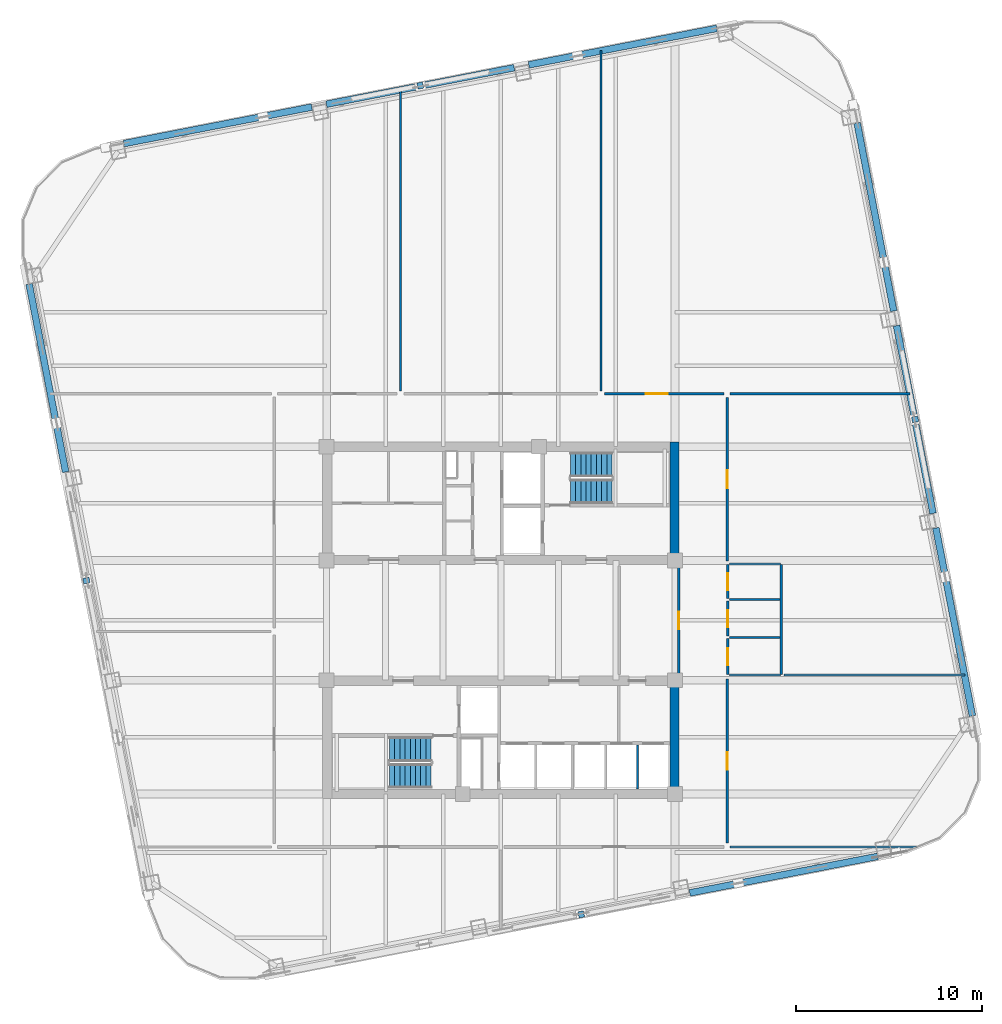
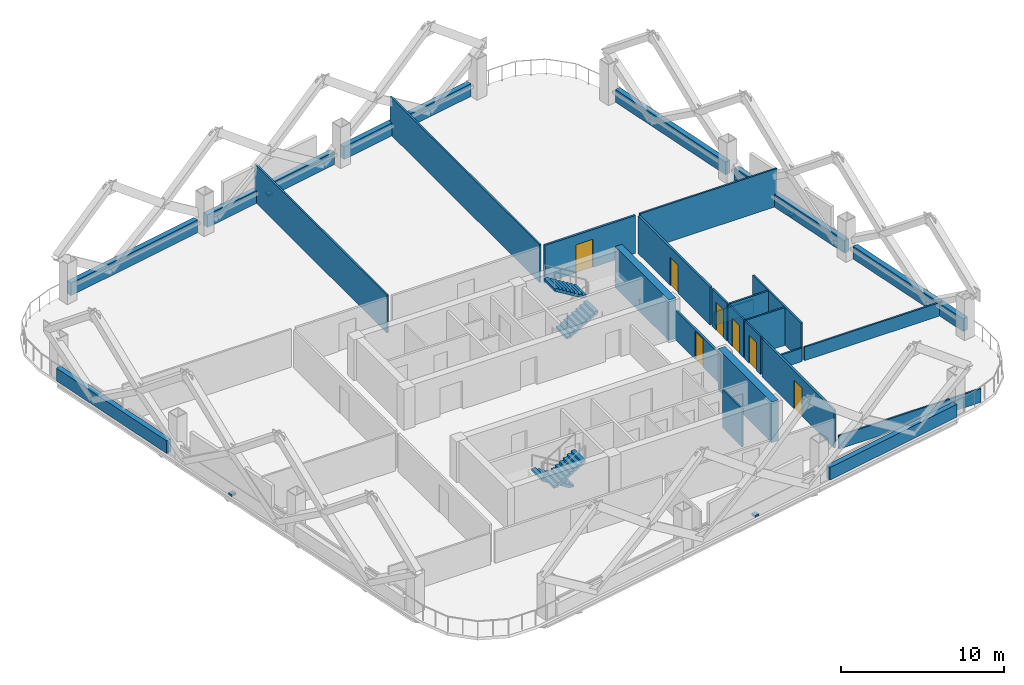
# One storey, part 6 of 9: 28 walls, 7 doors, 4 discrete accessories, 4 stair flights, 7 openings, 2 elements without a shape of their own.
"""IFC4 building model written with IfcOpenShell, lengths in metres."""

from ifc_helpers import new_model, si_unit, direction, frame, frame_2d, origin, origin_2d, place, context, subcontext, project, spatial, polyline, rectangle, outline, extrude, material, layer, layer_set, type_object, element, fill, aggregate, save


model = new_model("IFC4")

# Units and contexts
model_context = context("Model", 3, precision=1e-05, world=origin(), true_north=direction((0.0, 1.0)))
body_context = subcontext(model_context, "Body", "Model", "MODEL_VIEW")
ifc_project = project(units=[si_unit("LENGTHUNIT", "METRE"), si_unit("AREAUNIT", "SQUARE_METRE"), si_unit("VOLUMEUNIT", "CUBIC_METRE"), si_unit("PLANEANGLEUNIT", "RADIAN"), si_unit("MASSUNIT", "GRAM", prefix="KILO")], contexts=[model_context])

# Site, building, storey
site_placement = place(None, origin())
site = spatial("IfcSite", under=ifc_project, at=site_placement, CompositionType="ELEMENT")
building_placement = place(site_placement, origin())
building = spatial("IfcBuilding", under=site, at=building_placement, Name="Qhalaya Broadcast Tower", CompositionType="ELEMENT")
storey_placement = place(building_placement, frame((0.0, 0.0, 137.199951171875)))
storey = spatial("IfcBuildingStorey", under=building, at=storey_placement, Name="L40", CompositionType="ELEMENT", Elevation=137.199951171875)

# Wall, opening, door
ifc_material_1 = material(Name="Gypsum Acoustic Partition")
ifc_layer_1 = layer(ifc_material_1, 0.14990234375, Name="Gypsum Acoustic Partition")
ifc_layer_set_1 = layer_set([ifc_layer_1], Name="Gypsum Acoustic Partition")
wall_type_1 = type_object("IfcWallType", Name="Corridor & Tenancy Acoustic Partition 150", PredefinedType="PARTITIONING", material=ifc_layer_set_1)
wall_1_placement = place(storey_placement, frame((9.580078125, -2.320068359375, 0.0), z_axis=(0.0, 0.0, 1.0), x_axis=(0.0, 1.0, 0.0)))
wall_1 = element("IfcWall", 1, at=wall_1_placement, inside=storey, type_object=wall_type_1, Name="L40 Partition Wall W-ICHE", PredefinedType="PARTITIONING", context=body_context, shape_type="SweptSolid", body=[
    extrude(rectangle(XDim=5.840087890625, YDim=0.14990234375, at=frame_2d((2.919921875, 0.0))), origin(), (0.0, 0.0, 1.0), 2.197998046875),
])
opening_1_placement = place(wall_1_placement, frame((2.445068359375, 0.0, 0.0)))
opening_1 = element("IfcOpeningElement", 2, at=opening_1_placement, cuts=wall_1, Name="Opening D10", PredefinedType="OPENING", context=body_context, shape_type="SweptSolid", body=[
    extrude(rectangle(XDim=0.949951171875, YDim=2.10009765625, at=frame_2d((0.47509765625, 1.050048828125))), frame((0.0, 0.0869140625, 0.0), z_axis=(0.0, -1.0, 0.0), x_axis=(1.0, 0.0, 0.0)), (0.0, 0.0, 1.0), 0.173828125),
])
ifc_material_2 = material(Name="Timber Veneer Acoustic Door", Category="wood")
door_type_1 = type_object("IfcDoorType", Name="Cellular Office & Edit Booth Door D10", OperationType="NOTDEFINED", PredefinedType="DOOR", material=ifc_material_2)
door_1_placement = place(opening_1_placement, origin())
door_1 = element("IfcDoor", 3, at=door_1_placement, inside=storey, type_object=door_type_1, Name="L40 Door D-ICHE", OperationType="SINGLE_SWING_RIGHT", OverallHeight=2.10009765625, OverallWidth=0.949951171875, PredefinedType="DOOR", context=body_context, shape_type="SweptSolid", body=[
    extrude(rectangle(XDim=0.949951171875, YDim=2.10009765625, at=frame_2d((0.47509765625, 1.050048828125))), frame((0.0, 0.02490234375, 0.0), z_axis=(0.0, -1.0, 0.0), x_axis=(1.0, 0.0, 0.0)), (0.0, 0.0, 1.0), 0.050048828125),
])
fill(opening_1, door_1)

wall_2_placement = place(storey_placement, frame((5.580078125, 12.800048828125, 0.0), z_axis=(0.0, 0.0, 1.0), x_axis=(1.0, 0.0, 0.0)))
wall_2 = element("IfcWall", 4, at=wall_2_placement, inside=storey, type_object=wall_type_1, Name="L40 Partition Wall W-COR-03", PredefinedType="PARTITIONING", context=body_context, shape_type="SweptSolid", body=[
    extrude(rectangle(XDim=6.43994140625, YDim=0.14990234375, at=frame_2d((3.219970703125, 0.0))), origin(), (0.0, 0.0, 1.0), 2.830078125),
])
opening_2_placement = place(wall_2_placement, frame((2.219970703125, 0.0, 0.0)))
opening_2 = element("IfcOpeningElement", 5, at=opening_2_placement, cuts=wall_2, Name="Opening D11", PredefinedType="OPENING", context=body_context, shape_type="SweptSolid", body=[
    extrude(rectangle(XDim=1.199951171875, YDim=2.10009765625, at=frame_2d((0.60009765625, 1.050048828125))), frame((0.0, 0.0869140625, 0.0), z_axis=(0.0, -1.0, 0.0), x_axis=(1.0, 0.0, 0.0)), (0.0, 0.0, 1.0), 0.173828125),
])
ifc_material_3 = material(Name="Anodised Aluminium Glazed Door", Category="aluminium")
door_type_2 = type_object("IfcDoorType", Name="Conference, Boardroom & Studio Control Door D11", OperationType="NOTDEFINED", PredefinedType="DOOR", material=ifc_material_3)
door_2_placement = place(opening_2_placement, origin())
door_2 = element("IfcDoor", 6, at=door_2_placement, inside=storey, type_object=door_type_2, Name="L40 Door D-RM03", OperationType="SINGLE_SWING_RIGHT", OverallHeight=2.10009765625, OverallWidth=1.199951171875, PredefinedType="DOOR", context=body_context, shape_type="SweptSolid", body=[
    extrude(rectangle(XDim=1.199951171875, YDim=2.10009765625, at=frame_2d((0.60009765625, 1.050048828125))), frame((0.0, 0.02490234375, 0.0), z_axis=(0.0, -1.0, 0.0), x_axis=(1.0, 0.0, 0.0)), (0.0, 0.0, 1.0), 0.050048828125),
])
fill(opening_2, door_2)

wall_3_placement = place(storey_placement, frame((12.199951171875, -11.39990234375, 0.0), z_axis=(0.0, 0.0, 1.0), x_axis=(0.0, 1.0, 0.0)))
wall_3 = element("IfcWall", 7, at=wall_3_placement, inside=storey, type_object=wall_type_1, Name="L40 Partition Wall W-COR-08", PredefinedType="PARTITIONING", context=body_context, shape_type="SweptSolid", body=[
    extrude(rectangle(XDim=8.83984375, YDim=0.14990234375, at=frame_2d((4.419921875, 0.0))), origin(), (0.0, 0.0, 1.0), 2.830078125),
])
opening_3_placement = place(wall_3_placement, frame((3.945068359375, 0.0, 0.0)))
opening_3 = element("IfcOpeningElement", 8, at=opening_3_placement, cuts=wall_3, Name="Opening D10", PredefinedType="OPENING", context=body_context, shape_type="SweptSolid", body=[
    extrude(rectangle(XDim=0.949951171875, YDim=2.10009765625, at=frame_2d((0.47509765625, 1.050048828125))), frame((0.0, 0.0869140625, 0.0), z_axis=(0.0, -1.0, 0.0), x_axis=(1.0, 0.0, 0.0)), (0.0, 0.0, 1.0), 0.173828125),
])
door_3_placement = place(opening_3_placement, origin())
door_3 = element("IfcDoor", 9, at=door_3_placement, inside=storey, type_object=door_type_1, Name="L40 Door D-RM08", OperationType="SINGLE_SWING_LEFT", OverallHeight=2.10009765625, OverallWidth=0.949951171875, PredefinedType="DOOR", context=body_context, shape_type="SweptSolid", body=[
    extrude(rectangle(XDim=0.949951171875, YDim=2.10009765625, at=frame_2d((0.47509765625, 1.050048828125))), frame((0.0, 0.02490234375, 0.0), z_axis=(0.0, -1.0, 0.0), x_axis=(1.0, 0.0, 0.0)), (0.0, 0.0, 1.0), 0.050048828125),
])
fill(opening_3, door_3)

wall_4_placement = place(storey_placement, frame((12.199951171875, 3.800048828125, 0.0), z_axis=(0.0, 0.0, 1.0), x_axis=(0.0, 1.0, 0.0)))
wall_4 = element("IfcWall", 10, at=wall_4_placement, inside=storey, type_object=wall_type_1, Name="L40 Partition Wall W-COR-09", PredefinedType="PARTITIONING", context=body_context, shape_type="SweptSolid", body=[
    extrude(rectangle(XDim=8.800048828125, YDim=0.14990234375, at=frame_2d((4.39990234375, 0.0))), origin(), (0.0, 0.0, 1.0), 2.830078125),
])
opening_4_placement = place(wall_4_placement, frame((3.925048828125, 0.0, 0.0)))
opening_4 = element("IfcOpeningElement", 11, at=opening_4_placement, cuts=wall_4, Name="Opening D10", PredefinedType="OPENING", context=body_context, shape_type="SweptSolid", body=[
    extrude(rectangle(XDim=0.949951171875, YDim=2.10009765625, at=frame_2d((0.47509765625, 1.050048828125))), frame((0.0, 0.0869140625, 0.0), z_axis=(0.0, -1.0, 0.0), x_axis=(1.0, 0.0, 0.0)), (0.0, 0.0, 1.0), 0.173828125),
])
door_4_placement = place(opening_4_placement, origin())
door_4 = element("IfcDoor", 12, at=door_4_placement, inside=storey, type_object=door_type_1, Name="L40 Door D-RM09", OperationType="SINGLE_SWING_RIGHT", OverallHeight=2.10009765625, OverallWidth=0.949951171875, PredefinedType="DOOR", context=body_context, shape_type="SweptSolid", body=[
    extrude(rectangle(XDim=0.949951171875, YDim=2.10009765625, at=frame_2d((0.47509765625, 1.050048828125))), frame((0.0, 0.02490234375, 0.0), z_axis=(0.0, -1.0, 0.0), x_axis=(1.0, 0.0, 0.0)), (0.0, 0.0, 1.0), 0.050048828125),
])
fill(opening_4, door_4)

# Walls
ifc_material_4 = material(Name="Precast Concrete C40/50", Category="concrete")
ifc_layer_2 = layer(ifc_material_4, 0.360107421875, Name="Precast Concrete C40/50")
ifc_layer_set_2 = layer_set([ifc_layer_2], Name="Precast Concrete C40/50")
wall_type_2 = type_object("IfcWallType", Name="Insulated Precast Terracotta Exterior Wall 360", PredefinedType="SOLIDWALL", material=ifc_layer_set_2)
for number, where, z_axis, x_axis, name in (
    (13, (20.29638671875, -12.10986328125, 0.0), (0.0, 0.0, 1.0), (-0.981628941133, -0.190799952646, 0.0), "L40 Exoskeleton Diagrid Infill Wall S1"),
    (14, (19.189697265625, 27.37646484375, 0.0), (0.0, 0.0, 1.0), (0.190822765986, -0.981624506612, 0.0), "L40 Exoskeleton Diagrid Infill Wall E1"),
):
    element("IfcWall", number, at=place(storey_placement, frame(where, z_axis=z_axis, x_axis=x_axis)), inside=storey, type_object=wall_type_2, Name=name, PredefinedType="SOLIDWALL", context=body_context, shape_type="SweptSolid", body=[
        extrude(rectangle(XDim=10.31201171875, YDim=0.360107421875, at=frame_2d((5.156005859375, 0.0))), origin(), (0.0, 0.0, 1.0), 0.949951171875),
    ])
wall_5_placement = place(storey_placement, frame((21.31005859375, 16.468505859375, 0.0), z_axis=(0.0, 0.0, 1.0), x_axis=(0.190811924826, -0.981626614016, 0.0)))
element("IfcWall", 15, at=wall_5_placement, inside=storey, type_object=wall_type_2, Name="L40 Exoskeleton Diagrid Infill Wall E2", PredefinedType="SOLIDWALL", context=body_context, shape_type="SweptSolid", body=[
    extrude(rectangle(XDim=10.2998046875, YDim=0.360107421875, at=frame_2d((5.14990234375, 0.0))), origin(), (0.0, 0.0, 1.0), 0.949951171875),
])
wall_6_placement = place(storey_placement, frame((23.427978515625, 5.572509765625, 0.0), z_axis=(0.0, 0.0, 1.0), x_axis=(0.190827200853, -0.981623644486, 0.0)))
element("IfcWall", 16, at=wall_6_placement, inside=storey, type_object=wall_type_2, Name="L40 Exoskeleton Diagrid Infill Wall E3", PredefinedType="SOLIDWALL", context=body_context, shape_type="SweptSolid", body=[
    extrude(rectangle(XDim=10.311767578125, YDim=0.360107421875, at=frame_2d((5.15576171875, 0.0))), origin(), (0.0, 0.0, 1.0), 0.949951171875),
])
wall_7_placement = place(storey_placement, frame((-20.29638671875, 26.269775390625, 0.0), z_axis=(0.0, 0.0, 1.0), x_axis=(0.981628941133, 0.190799952646, 0.0)))
element("IfcWall", 17, at=wall_7_placement, inside=storey, type_object=wall_type_2, Name="L40 Exoskeleton Diagrid Infill Wall N1", PredefinedType="SOLIDWALL", context=body_context, shape_type="SweptSolid", body=[
    extrude(rectangle(XDim=10.31201171875, YDim=0.360107421875, at=frame_2d((5.156005859375, 0.0))), origin(), (0.0, 0.0, 1.0), 0.949951171875),
])
wall_8_placement = place(storey_placement, frame((-9.388671875, 28.39013671875, 0.0), z_axis=(0.0, 0.0, 1.0), x_axis=(0.981627477005, 0.190807485147, 0.0)))
element("IfcWall", 18, at=wall_8_placement, inside=storey, type_object=wall_type_2, Name="L40 Exoskeleton Diagrid Infill Wall N2", PredefinedType="SOLIDWALL", context=body_context, shape_type="SweptSolid", body=[
    extrude(rectangle(XDim=10.300048828125, YDim=0.360107421875, at=frame_2d((5.14990234375, 0.0))), origin(), (0.0, 0.0, 1.0), 0.949951171875),
])
for number, where, z_axis, x_axis, name in (
    (19, (1.50732421875, 30.508056640625, 0.0), (0.0, 0.0, 1.0), (0.981628941133, 0.190799952646, 0.0), "L40 Exoskeleton Diagrid Infill Wall N3"),
    (20, (-23.427978515625, 8.58740234375, 0.0), (0.0, 0.0, 1.0), (-0.190822765986, 0.981624506612, 0.0), "L40 Exoskeleton Diagrid Infill Wall W3"),
):
    element("IfcWall", number, at=place(storey_placement, frame(where, z_axis=z_axis, x_axis=x_axis)), inside=storey, type_object=wall_type_2, Name=name, PredefinedType="SOLIDWALL", context=body_context, shape_type="SweptSolid", body=[
        extrude(rectangle(XDim=10.31201171875, YDim=0.360107421875, at=frame_2d((5.156005859375, 0.0))), origin(), (0.0, 0.0, 1.0), 0.949951171875),
    ])
ifc_material_5 = material(Name="Concrete C50/60", Category="concrete")
ifc_layer_3 = layer(ifc_material_5, 0.5, Name="Concrete C50/60")
ifc_layer_set_3 = layer_set([ifc_layer_3], Name="Concrete C50/60")
wall_type_3 = type_object("IfcWallType", Name="Mid Split-Core Shear Wall 500", PredefinedType="SHEAR", material=ifc_layer_set_3)
wall_9_placement = place(storey_placement, frame((9.35009765625, 3.60009765625, 0.0), z_axis=(0.0, 0.0, 1.0), x_axis=(0.0, 1.0, 0.0)))
element("IfcWall", 21, at=wall_9_placement, inside=storey, type_object=wall_type_3, Name="L40 Split-Core Shear Wall CW-NE", PredefinedType="SHEAR", context=body_context, shape_type="SweptSolid", body=[
    extrude(rectangle(XDim=6.599853515625, YDim=0.5, at=frame_2d((3.2998046875, 0.0))), origin(), (0.0, 0.0, 1.0), 3.050048828125),
])
wall_10_placement = place(storey_placement, frame((9.35009765625, -9.0, 0.0), z_axis=(0.0, 0.0, 1.0), x_axis=(0.0, 1.0, 0.0)))
element("IfcWall", 22, at=wall_10_placement, inside=storey, type_object=wall_type_3, Name="L40 Split-Core Shear Wall CW-SE", PredefinedType="SHEAR", context=body_context, shape_type="SweptSolid", body=[
    extrude(rectangle(XDim=6.60009765625, YDim=0.5, at=frame_2d((3.300048828125, 0.0))), origin(), (0.0, 0.0, 1.0), 3.050048828125),
])
ifc_layer_4 = layer(ifc_material_1, 0.1201171875, Name="Gypsum Acoustic Partition")
ifc_layer_set_4 = layer_set([ifc_layer_4], Name="Gypsum Acoustic Partition")
wall_type_4 = type_object("IfcWallType", Name="Office, Booth & Sanitary Partition 120", PredefinedType="PARTITIONING", material=ifc_layer_set_4)
wall_11_placement = place(storey_placement, frame((7.360107421875, -8.47998046875, 0.0), z_axis=(0.0, 0.0, 1.0), x_axis=(0.0, 1.0, 0.0)))
element("IfcWall", 23, at=wall_11_placement, inside=storey, type_object=wall_type_4, Name="L40 Partition Wall SCW-HD7", PredefinedType="PARTITIONING", context=body_context, shape_type="SweptSolid", body=[
    extrude(rectangle(XDim=2.3798828125, YDim=0.1201171875, at=frame_2d((1.18994140625, 0.0))), origin(), (0.0, 0.0, 1.0), 2.830078125),
])

# Wall, opening, door
wall_12_placement = place(storey_placement, frame((12.219970703125, -2.320068359375, 0.0), z_axis=(0.0, 0.0, 1.0), x_axis=(0.0, 1.0, 0.0)))
wall_12 = element("IfcWall", 24, at=wall_12_placement, inside=storey, type_object=wall_type_4, Name="L40 Partition Wall W-WCWA", PredefinedType="PARTITIONING", context=body_context, shape_type="SweptSolid", body=[
    extrude(rectangle(XDim=1.940185546875, YDim=0.1201171875, at=frame_2d((0.97021484375, 0.0))), origin(), (0.0, 0.0, 1.0), 2.830078125),
])
opening_5_placement = place(wall_12_placement, frame((0.4951171875, 0.0, 0.0)))
opening_5 = element("IfcOpeningElement", 25, at=opening_5_placement, cuts=wall_12, Name="Opening D12", PredefinedType="OPENING", context=body_context, shape_type="SweptSolid", body=[
    extrude(rectangle(XDim=0.919921875, YDim=2.10009765625, at=frame_2d((0.4599609375, 1.050048828125))), frame((0.0, 0.072021484375, 0.0), z_axis=(0.0, -1.0, 0.0), x_axis=(1.0, 0.0, 0.0)), (0.0, 0.0, 1.0), 0.14404296875),
])
door_type_3 = type_object("IfcDoorType", Name="Accessible WC & Restroom Door D12", OperationType="NOTDEFINED", PredefinedType="DOOR", material=ifc_material_2)
door_5_placement = place(opening_5_placement, origin())
door_5 = element("IfcDoor", 26, at=door_5_placement, inside=storey, type_object=door_type_3, Name="L40 Door D-WCA", OperationType="SINGLE_SWING_LEFT", OverallHeight=2.10009765625, OverallWidth=0.919921875, PredefinedType="DOOR", context=body_context, shape_type="SweptSolid", body=[
    extrude(rectangle(XDim=0.919921875, YDim=2.10009765625, at=frame_2d((0.4599609375, 1.050048828125))), frame((0.0, 0.02490234375, 0.0), z_axis=(0.0, -1.0, 0.0), x_axis=(1.0, 0.0, 0.0)), (0.0, 0.0, 1.0), 0.050048828125),
])
fill(opening_5, door_5)

wall_13_placement = place(storey_placement, frame((12.219970703125, -0.25, 0.0), z_axis=(0.0, 0.0, 1.0), x_axis=(0.0, 1.0, 0.0)))
wall_13 = element("IfcWall", 27, at=wall_13_placement, inside=storey, type_object=wall_type_4, Name="L40 Partition Wall W-WCWM", PredefinedType="PARTITIONING", context=body_context, shape_type="SweptSolid", body=[
    extrude(rectangle(XDim=1.89990234375, YDim=0.1201171875, at=frame_2d((0.949951171875, 0.0))), origin(), (0.0, 0.0, 1.0), 2.830078125),
])
opening_6_placement = place(wall_13_placement, frame((0.47509765625, 0.0, 0.0)))
opening_6 = element("IfcOpeningElement", 28, at=opening_6_placement, cuts=wall_13, Name="Opening D12", PredefinedType="OPENING", context=body_context, shape_type="SweptSolid", body=[
    extrude(rectangle(XDim=0.919921875, YDim=2.10009765625, at=frame_2d((0.4599609375, 1.050048828125))), frame((0.0, 0.072021484375, 0.0), z_axis=(0.0, -1.0, 0.0), x_axis=(1.0, 0.0, 0.0)), (0.0, 0.0, 1.0), 0.14404296875),
])
door_6_placement = place(opening_6_placement, origin())
door_6 = element("IfcDoor", 29, at=door_6_placement, inside=storey, type_object=door_type_3, Name="L40 Door D-WCM", OperationType="SINGLE_SWING_RIGHT", OverallHeight=2.10009765625, OverallWidth=0.919921875, PredefinedType="DOOR", context=body_context, shape_type="SweptSolid", body=[
    extrude(rectangle(XDim=0.919921875, YDim=2.10009765625, at=frame_2d((0.4599609375, 1.050048828125))), frame((0.0, 0.02490234375, 0.0), z_axis=(0.0, -1.0, 0.0), x_axis=(1.0, 0.0, 0.0)), (0.0, 0.0, 1.0), 0.050048828125),
])
fill(opening_6, door_6)

wall_14_placement = place(storey_placement, frame((12.219970703125, 1.780029296875, 0.0), z_axis=(0.0, 0.0, 1.0), x_axis=(0.0, 1.0, 0.0)))
wall_14 = element("IfcWall", 30, at=wall_14_placement, inside=storey, type_object=wall_type_4, Name="L40 Partition Wall W-WCWF", PredefinedType="PARTITIONING", context=body_context, shape_type="SweptSolid", body=[
    extrude(rectangle(XDim=1.830078125, YDim=0.1201171875, at=frame_2d((0.9150390625, 0.0))), origin(), (0.0, 0.0, 1.0), 2.830078125),
])
opening_7_placement = place(wall_14_placement, frame((0.43994140625, 0.0, 0.0)))
opening_7 = element("IfcOpeningElement", 31, at=opening_7_placement, cuts=wall_14, Name="Opening D12", PredefinedType="OPENING", context=body_context, shape_type="SweptSolid", body=[
    extrude(rectangle(XDim=0.919921875, YDim=2.10009765625, at=frame_2d((0.4599609375, 1.050048828125))), frame((0.0, 0.072021484375, 0.0), z_axis=(0.0, -1.0, 0.0), x_axis=(1.0, 0.0, 0.0)), (0.0, 0.0, 1.0), 0.14404296875),
])
door_7_placement = place(opening_7_placement, origin())
door_7 = element("IfcDoor", 32, at=door_7_placement, inside=storey, type_object=door_type_3, Name="L40 Door D-WCF", OperationType="SINGLE_SWING_LEFT", OverallHeight=2.10009765625, OverallWidth=0.919921875, PredefinedType="DOOR", context=body_context, shape_type="SweptSolid", body=[
    extrude(rectangle(XDim=0.919921875, YDim=2.10009765625, at=frame_2d((0.4599609375, 1.050048828125))), frame((0.0, 0.02490234375, 0.0), z_axis=(0.0, -1.0, 0.0), x_axis=(1.0, 0.0, 0.0)), (0.0, 0.0, 1.0), 0.050048828125),
])
fill(opening_7, door_7)

# Walls
wall_15_placement = place(storey_placement, frame((15.10009765625, -2.320068359375, 0.0), z_axis=(0.0, 0.0, 1.0), x_axis=(0.0, 1.0, 0.0)))
element("IfcWall", 33, at=wall_15_placement, inside=storey, type_object=wall_type_4, Name="L40 Partition Wall W-WCE", PredefinedType="PARTITIONING", context=body_context, shape_type="SweptSolid", body=[
    extrude(rectangle(XDim=5.93017578125, YDim=0.1201171875, at=frame_2d((2.965087890625, 0.0))), origin(), (0.0, 0.0, 1.0), 2.830078125),
])
for number, where, z_axis, x_axis, name in (
    (34, (12.31005859375, -2.35009765625, 0.0), (0.0, 0.0, 1.0), (1.0, 0.0, 0.0), "L40 Partition Wall W-WCS"),
    (35, (12.31005859375, 3.639892578125, 0.0), (0.0, 0.0, 1.0), (1.0, 0.0, 0.0), "L40 Partition Wall W-WCN"),
):
    element("IfcWall", number, at=place(storey_placement, frame(where, z_axis=z_axis, x_axis=x_axis)), inside=storey, type_object=wall_type_4, Name=name, PredefinedType="PARTITIONING", context=body_context, shape_type="SweptSolid", body=[
        extrude(rectangle(XDim=2.760009765625, YDim=0.1201171875, at=frame_2d((1.3798828125, 0.0))), origin(), (0.0, 0.0, 1.0), 1.010009765625),
    ])
for number, where, z_axis, x_axis, name in (
    (36, (12.31005859375, -0.320068359375, 0.0), (0.0, 0.0, 1.0), (1.0, 0.0, 0.0), "L40 Partition Wall W-WCD1"),
    (37, (12.31005859375, 1.719970703125, 0.0), (0.0, 0.0, 1.0), (1.0, 0.0, 0.0), "L40 Partition Wall W-WCD2"),
):
    element("IfcWall", number, at=place(storey_placement, frame(where, z_axis=z_axis, x_axis=x_axis)), inside=storey, type_object=wall_type_4, Name=name, PredefinedType="PARTITIONING", context=body_context, shape_type="SweptSolid", body=[
        extrude(rectangle(XDim=2.719970703125, YDim=0.1201171875, at=frame_2d((1.35986328125, 0.0))), origin(), (0.0, 0.0, 1.0), 2.830078125),
    ])
wall_16_placement = place(storey_placement, frame((12.340087890625, 12.800048828125, 0.0), z_axis=(0.0, 0.0, 1.0), x_axis=(1.0, 0.0, 0.0)))
element("IfcWall", 38, at=wall_16_placement, inside=storey, type_object=wall_type_4, Name="L40 Partition Wall W-BNDE1", PredefinedType="PARTITIONING", context=body_context, shape_type="SweptSolid", body=[
    extrude(rectangle(XDim=9.703369140625, YDim=0.1201171875, at=frame_2d((4.8515625, 0.0))), origin(), (0.0, 0.0, 1.0), 2.830078125),
])
wall_17_placement = place(storey_placement, frame((12.340087890625, -11.60009765625, 0.0), z_axis=(0.0, 0.0, 1.0), x_axis=(1.0, 0.0, 0.0)))
element("IfcWall", 39, at=wall_17_placement, inside=storey, type_object=wall_type_4, Name="L40 Partition Wall W-BNDE2", PredefinedType="PARTITIONING", context=body_context, shape_type="SweptSolid", body=[
    extrude(rectangle(XDim=10.06640625, YDim=0.1201171875, at=frame_2d((5.033203125, 0.0))), origin(), (0.0, 0.0, 1.0), 1.010009765625),
])
wall_18_placement = place(storey_placement, frame((-5.39990234375, 12.9599609375, 0.0), z_axis=(0.0, 0.0, 1.0), x_axis=(0.0, 1.0, 0.0)))
element("IfcWall", 40, at=wall_18_placement, inside=storey, type_object=wall_type_4, Name="L40 Partition Wall W-DIVN1", PredefinedType="PARTITIONING", context=body_context, shape_type="SweptSolid", body=[
    extrude(rectangle(XDim=16.225830078125, YDim=0.1201171875, at=frame_2d((8.11279296875, 0.0))), origin(), (0.0, 0.0, 1.0), 2.830078125),
])
wall_19_placement = place(storey_placement, frame((5.39990234375, 12.9599609375, 0.0), z_axis=(0.0, 0.0, 1.0), x_axis=(0.0, 1.0, 0.0)))
element("IfcWall", 41, at=wall_19_placement, inside=storey, type_object=wall_type_4, Name="L40 Partition Wall W-DIVN2", PredefinedType="PARTITIONING", context=body_context, shape_type="SweptSolid", body=[
    extrude(rectangle(XDim=18.3251953125, YDim=0.1201171875, at=frame_2d((9.16259765625, 0.0))), origin(), (0.0, 0.0, 1.0), 2.830078125),
])
wall_20_placement = place(storey_placement, frame((15.239990234375, -2.35009765625, 0.0), z_axis=(0.0, 0.0, 1.0), x_axis=(1.0, 0.0, 0.0)))
element("IfcWall", 42, at=wall_20_placement, inside=storey, type_object=wall_type_4, Name="L40 Partition Wall W-DIVE-WC", PredefinedType="PARTITIONING", context=body_context, shape_type="SweptSolid", body=[
    extrude(rectangle(XDim=9.748291015625, YDim=0.1201171875, at=frame_2d((4.8740234375, 0.0))), origin(), (0.0, 0.0, 1.0), 1.010009765625),
])

# Stair, stair flights
ifc_material_6 = material(Name="Concrete C40/50", Category="concrete")
stair_type = type_object("IfcStairType", Name="Protected Dogleg Core Stair 3150", PredefinedType="TWO_STRAIGHT_RUN_STAIR", material=ifc_material_6)
stair_1_placement = place(storey_placement, origin())
stair_1 = element("IfcStair", 43, at=stair_1_placement, inside=storey, type_object=stair_type, Name="L40 North Core Exit Stair ST-1", PredefinedType="TWO_STRAIGHT_RUN_STAIR")
stair_flight_type = type_object("IfcStairFlightType", Name="Precast Concrete Stair Flight 3150", PredefinedType="STRAIGHT", material=ifc_material_4)
stair_flight_1_placement = place(storey_placement, frame((3.75, 7.5400390625, 0.0), z_axis=(0.0, 0.0, 1.0), x_axis=(1.0, 0.0, 0.0)))
stair_flight_1 = element("IfcStairFlight", 44, at=stair_flight_1_placement, type_object=stair_flight_type, Name="ST-1 flight 1", NumberOfRisers=9, NumberOfTreads=8, PredefinedType="STRAIGHT", RiserHeight=0.169444444, TreadLength=0.28, context=body_context, shape_type="SweptSolid", body=[
    extrude(outline(polyline([(0.0, 0.0), (0.0, 0.16943359375), (0.280029296875, 0.16943359375), (0.280029296875, 0.3388671875), (0.56005859375, 0.3388671875), (0.56005859375, 0.50830078125), (0.840087890625, 0.50830078125), (0.840087890625, 0.677734375), (1.1201171875, 0.677734375), (1.1201171875, 0.84716796875), (1.39990234375, 0.84716796875), (1.39990234375, 1.0166015625), (1.679931640625, 1.0166015625), (1.679931640625, 1.18603515625), (1.9599609375, 1.18603515625), (1.9599609375, 1.35546875), (2.239990234375, 1.35546875), (2.239990234375, 1.52490234375), (2.239990234375, 1.180419921875), (0.28955078125, 0.0), (0.0, 0.0)])), frame((0.0, 0.66015625, 0.0), z_axis=(0.0, -1.0, 0.0), x_axis=(1.0, 0.0, 0.0)), (0.0, 0.0, 1.0), 1.320068359375),
])
stair_flight_2_placement = place(storey_placement, frame((5.989990234375, 8.97998046875, 1.525146484375), z_axis=(0.0, 0.0, 1.0), x_axis=(-1.0, 0.0, 0.0)))
stair_flight_2 = element("IfcStairFlight", 45, at=stair_flight_2_placement, type_object=stair_flight_type, Name="ST-1 flight 2", NumberOfRisers=9, NumberOfTreads=8, PredefinedType="STRAIGHT", RiserHeight=0.169444444, TreadLength=0.28, context=body_context, shape_type="SweptSolid", body=[
    extrude(outline(polyline([(0.0, 0.0), (0.0, 0.16943359375), (0.280029296875, 0.16943359375), (0.280029296875, 0.3388671875), (0.56005859375, 0.3388671875), (0.56005859375, 0.50830078125), (0.840087890625, 0.50830078125), (0.840087890625, 0.677734375), (1.1201171875, 0.677734375), (1.1201171875, 0.84716796875), (1.39990234375, 0.84716796875), (1.39990234375, 1.0166015625), (1.679931640625, 1.0166015625), (1.679931640625, 1.18603515625), (1.9599609375, 1.18603515625), (1.9599609375, 1.35546875), (2.239990234375, 1.35546875), (2.239990234375, 1.52490234375), (2.239990234375, 1.180419921875), (0.28955078125, 0.0), (0.0, 0.0)])), frame((0.0, 0.66015625, 0.0), z_axis=(0.0, -1.0, 0.0), x_axis=(1.0, 0.0, 0.0)), (0.0, 0.0, 1.0), 1.320068359375),
])
aggregate(stair_1, [stair_flight_1, stair_flight_2])

stair_2_placement = place(storey_placement, origin())
stair_2 = element("IfcStair", 46, at=stair_2_placement, inside=storey, type_object=stair_type, Name="L40 South Core Exit Stair ST-2", PredefinedType="TWO_STRAIGHT_RUN_STAIR")
stair_flight_3_placement = place(storey_placement, frame((-3.75, -6.340087890625, 0.0), z_axis=(0.0, 0.0, 1.0), x_axis=(-1.0, 0.0, 0.0)))
stair_flight_3 = element("IfcStairFlight", 47, at=stair_flight_3_placement, type_object=stair_flight_type, Name="ST-2 flight 1", NumberOfRisers=9, NumberOfTreads=8, PredefinedType="STRAIGHT", RiserHeight=0.169444444, TreadLength=0.28, context=body_context, shape_type="SweptSolid", body=[
    extrude(outline(polyline([(0.0, 0.0), (0.0, 0.16943359375), (0.280029296875, 0.16943359375), (0.280029296875, 0.3388671875), (0.56005859375, 0.3388671875), (0.56005859375, 0.50830078125), (0.840087890625, 0.50830078125), (0.840087890625, 0.677734375), (1.1201171875, 0.677734375), (1.1201171875, 0.84716796875), (1.39990234375, 0.84716796875), (1.39990234375, 1.0166015625), (1.679931640625, 1.0166015625), (1.679931640625, 1.18603515625), (1.9599609375, 1.18603515625), (1.9599609375, 1.35546875), (2.239990234375, 1.35546875), (2.239990234375, 1.52490234375), (2.239990234375, 1.180419921875), (0.28955078125, 0.0), (0.0, 0.0)])), frame((0.0, 0.66015625, 0.0), z_axis=(0.0, -1.0, 0.0), x_axis=(1.0, 0.0, 0.0)), (0.0, 0.0, 1.0), 1.320068359375),
])
stair_flight_4_placement = place(storey_placement, frame((-5.989990234375, -7.780029296875, 1.525146484375), z_axis=(0.0, 0.0, 1.0), x_axis=(1.0, 0.0, 0.0)))
stair_flight_4 = element("IfcStairFlight", 48, at=stair_flight_4_placement, type_object=stair_flight_type, Name="ST-2 flight 2", NumberOfRisers=9, NumberOfTreads=8, PredefinedType="STRAIGHT", RiserHeight=0.169444444, TreadLength=0.28, context=body_context, shape_type="SweptSolid", body=[
    extrude(outline(polyline([(0.0, 0.0), (0.0, 0.16943359375), (0.280029296875, 0.16943359375), (0.280029296875, 0.3388671875), (0.56005859375, 0.3388671875), (0.56005859375, 0.50830078125), (0.840087890625, 0.50830078125), (0.840087890625, 0.677734375), (1.1201171875, 0.677734375), (1.1201171875, 0.84716796875), (1.39990234375, 0.84716796875), (1.39990234375, 1.0166015625), (1.679931640625, 1.0166015625), (1.679931640625, 1.18603515625), (1.9599609375, 1.18603515625), (1.9599609375, 1.35546875), (2.239990234375, 1.35546875), (2.239990234375, 1.52490234375), (2.239990234375, 1.180419921875), (0.28955078125, 0.0), (0.0, 0.0)])), frame((0.0, 0.66015625, 0.0), z_axis=(0.0, -1.0, 0.0), x_axis=(1.0, 0.0, 0.0)), (0.0, 0.0, 1.0), 1.320068359375),
])
aggregate(stair_2, [stair_flight_3, stair_flight_4])

# Discrete accessories
ifc_material_7 = material(Name="Structural Steel ASTM A572 Grade 50", Category="steel")
discrete_accessory_type = type_object("IfcDiscreteAccessoryType", Name="Facade Baguette Support Bracket BRK-01", PredefinedType="BRACKET", material=ifc_material_7)
for number, where, z_axis, x_axis, name in (
    (49, (4.337158203125, -15.232421875, 0.0), (0.0, 0.0, 1.0), (0.981627183448, 0.190808995377, 0.0), "L40 Baguette Support Bracket S"),
    (50, (22.3125, 11.4169921875, 0.0), (0.0, 0.0, 1.0), (-0.190808995377, 0.981627183448, 0.0), "L40 Baguette Support Bracket E"),
    (51, (-4.337158203125, 29.392333984375, 0.0), (0.0, 0.0, 1.0), (-0.981627183448, -0.190808995377, 0.0), "L40 Baguette Support Bracket N"),
    (52, (-22.3125, 2.742919921875, 0.0), (0.0, 0.0, 1.0), (0.190808995377, -0.981627183448, 0.0), "L40 Baguette Support Bracket W"),
):
    element("IfcDiscreteAccessory", number, at=place(storey_placement, frame(where, z_axis=z_axis, x_axis=x_axis)), inside=storey, type_object=discrete_accessory_type, Name=name, PredefinedType="BRACKET", context=body_context, shape_type="SweptSolid", body=[
        extrude(rectangle(XDim=0.300048828125, YDim=0.340087890625, at=origin_2d()), origin(), (0.0, 0.0, 1.0), 0.159912109375),
    ])

save(model, "model.ifc")
